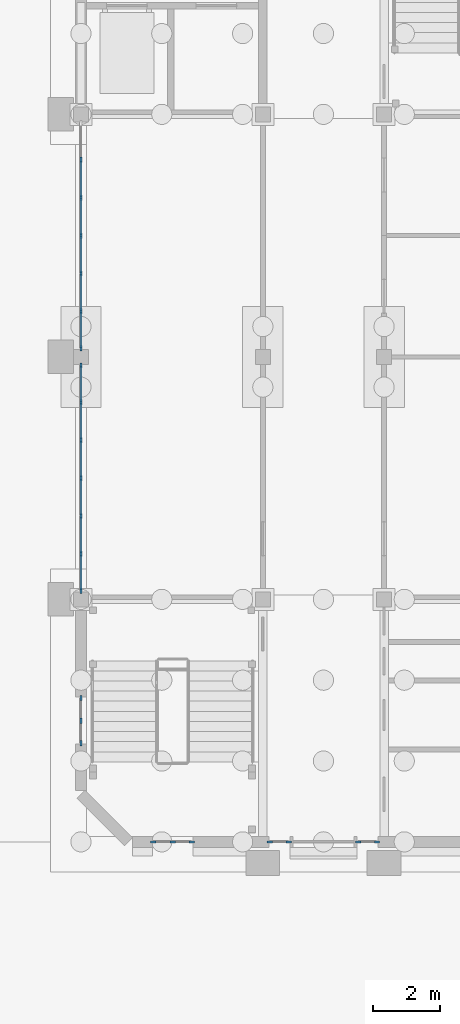
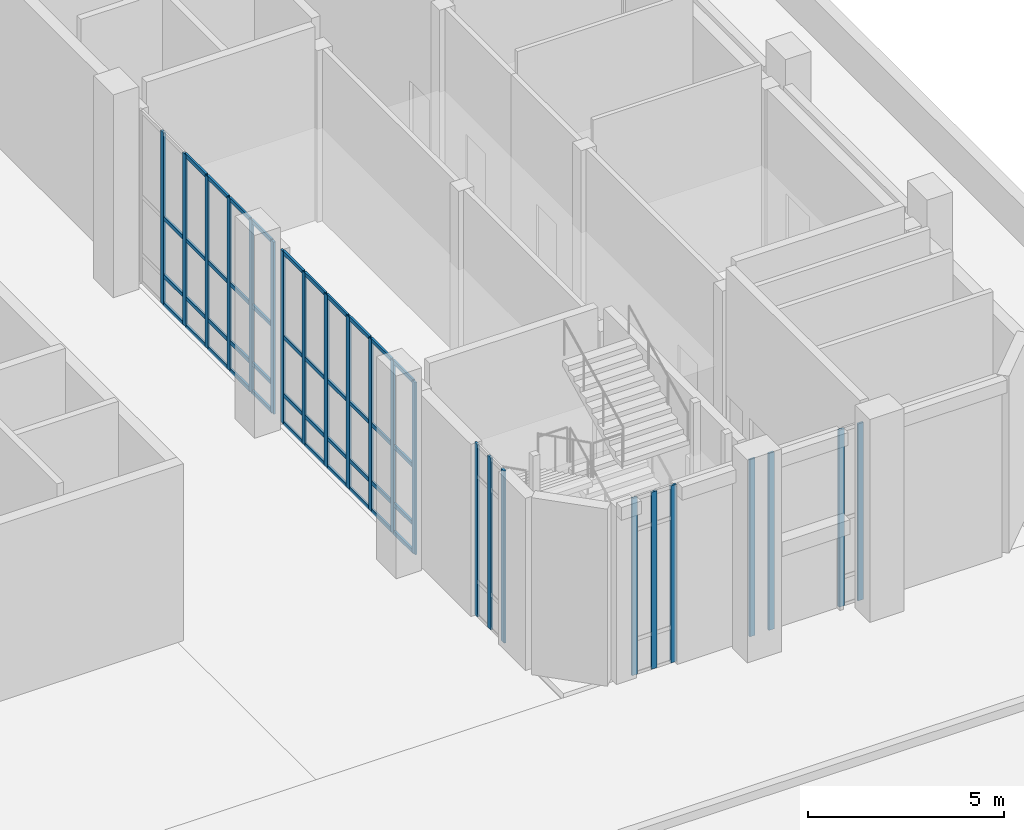
# One storey, part 14 of 84: 66 members, 6 elements without a shape of their own.
"""IFC4 building model written with IfcOpenShell, lengths in metres."""

from ifc_helpers import new_model, si_unit, direction, frame, origin, origin_2d, place, context, subcontext, project, spatial, rectangle, extrude, material, layer, layer_set, material_profile, profile_set, type_object, element, aggregate, save


model = new_model("IFC4")

# Units and contexts
model_context = context("Model", 3, precision=1e-05, world=origin(), true_north=direction((0.0, 1.0)))
body_context = subcontext(model_context, "Body", "Model", "MODEL_VIEW")
ifc_project = project(units=[si_unit("LENGTHUNIT", "METRE"), si_unit("AREAUNIT", "SQUARE_METRE"), si_unit("VOLUMEUNIT", "CUBIC_METRE"), si_unit("PLANEANGLEUNIT", "RADIAN"), si_unit("MASSUNIT", "GRAM", prefix="KILO")], contexts=[model_context])

# Site, building, storey
site_placement = place(None, origin())
site = spatial("IfcSite", under=ifc_project, at=site_placement, CompositionType="ELEMENT")
building_placement = place(site_placement, origin())
building = spatial("IfcBuilding", under=site, at=building_placement, Name="Mazhai Court Health Centre", CompositionType="ELEMENT")
storey_placement = place(building_placement, origin())
storey = spatial("IfcBuildingStorey", under=building, at=storey_placement, Name="L00", CompositionType="ELEMENT", Elevation=0.0)

# Curtain wall, members
ifc_material_1 = material(Name="Teak timber frame, glazed", Category="wood")
ifc_layer_1 = layer(ifc_material_1, 0.10009765625)
ifc_layer_set_1 = layer_set([ifc_layer_1], Name="CURTAIN WALL TIMBER 600")
curtain_wall_type_1 = type_object("IfcCurtainWallType", Name="CURTAIN WALL TIMBER 600", PredefinedType="NOTDEFINED", material=ifc_layer_set_1)
curtain_wall_1_placement = place(storey_placement, origin())
curtain_wall_1 = element("IfcCurtainWall", 1, at=curtain_wall_1_placement, inside=storey, type_object=curtain_wall_type_1, Name="CW-V6-L00-A0", PredefinedType="NOTDEFINED")
ifc_material_2 = material(Name="Teak timber", Category="wood")
ifc_material_profile_1 = material_profile(ifc_material_2, rectangle(XDim=0.06005859375, YDim=0.159912109375, at=origin_2d()), Name="CW MULLION 60x160")
ifc_profile_set_1 = profile_set([ifc_material_profile_1], Name="Teak timber")
member_type_1 = type_object("IfcMemberType", Name="CW MULLION 60x160", PredefinedType="MULLION", material=ifc_profile_set_1)
member_1_placement = place(storey_placement, frame((135.800048828125, 9.1298828125, 0.0), z_axis=(0.0, 0.0, 1.0), x_axis=(-1.0, 0.0, 0.0)))
member_1 = element("IfcMember", 2, at=member_1_placement, type_object=member_type_1, Name="CW mullion 1", PredefinedType="MULLION", context=body_context, shape_type="SweptSolid", body=[
    extrude(rectangle(XDim=0.06005859375, YDim=0.159912109375, at=origin_2d()), origin(), (0.0, 0.0, 1.0), 5.35009765625),
])
member_2_placement = place(storey_placement, frame((135.800048828125, 9.800048828125, 0.0), z_axis=(0.0, 0.0, 1.0), x_axis=(-1.0, 0.0, 0.0)))
member_2 = element("IfcMember", 3, at=member_2_placement, type_object=member_type_1, Name="CW mullion 2", PredefinedType="MULLION", context=body_context, shape_type="SweptSolid", body=[
    extrude(rectangle(XDim=0.06005859375, YDim=0.159912109375, at=origin_2d()), origin(), (0.0, 0.0, 1.0), 5.35009765625),
])
member_3_placement = place(storey_placement, frame((135.800048828125, 10.469970703125, 0.0), z_axis=(0.0, 0.0, 1.0), x_axis=(-1.0, 0.0, 0.0)))
member_3 = element("IfcMember", 4, at=member_3_placement, type_object=member_type_1, Name="CW mullion 3", PredefinedType="MULLION", context=body_context, shape_type="SweptSolid", body=[
    extrude(rectangle(XDim=0.06005859375, YDim=0.159912109375, at=origin_2d()), origin(), (0.0, 0.0, 1.0), 5.35009765625),
])
aggregate(curtain_wall_1, [member_1, member_2, member_3])

ifc_material_3 = material(Name="Teak timber frame, glazed", Category="wood")
ifc_layer_2 = layer(ifc_material_3, 0.10009765625)
ifc_layer_set_2 = layer_set([ifc_layer_2], Name="CURTAIN WALL TIMBER 1200")
curtain_wall_type_2 = type_object("IfcCurtainWallType", Name="CURTAIN WALL TIMBER 1200", PredefinedType="NOTDEFINED", material=ifc_layer_set_2)
curtain_wall_2_placement = place(storey_placement, origin())
curtain_wall_2 = element("IfcCurtainWall", 5, at=curtain_wall_2_placement, inside=storey, type_object=curtain_wall_type_2, Name="CW-V6-L00-A1", PredefinedType="NOTDEFINED")
member_4_placement = place(storey_placement, frame((135.800048828125, 13.655029296875, 0.0), z_axis=(0.0, 0.0, 1.0), x_axis=(-1.0, 0.0, 0.0)))
member_4 = element("IfcMember", 6, at=member_4_placement, type_object=member_type_1, Name="CW mullion 1", PredefinedType="MULLION", context=body_context, shape_type="SweptSolid", body=[
    extrude(rectangle(XDim=0.06005859375, YDim=0.159912109375, at=origin_2d()), origin(), (0.0, 0.0, 1.0), 5.35009765625),
])
member_5_placement = place(storey_placement, frame((135.800048828125, 14.75, 0.0), z_axis=(0.0, 0.0, 1.0), x_axis=(-1.0, 0.0, 0.0)))
member_5 = element("IfcMember", 7, at=member_5_placement, type_object=member_type_1, Name="CW mullion 2", PredefinedType="MULLION", context=body_context, shape_type="SweptSolid", body=[
    extrude(rectangle(XDim=0.06005859375, YDim=0.159912109375, at=origin_2d()), origin(), (0.0, 0.0, 1.0), 5.35009765625),
])
member_6_placement = place(storey_placement, frame((135.800048828125, 15.875, 0.0), z_axis=(0.0, 0.0, 1.0), x_axis=(-1.0, 0.0, 0.0)))
member_6 = element("IfcMember", 8, at=member_6_placement, type_object=member_type_1, Name="CW mullion 3", PredefinedType="MULLION", context=body_context, shape_type="SweptSolid", body=[
    extrude(rectangle(XDim=0.06005859375, YDim=0.159912109375, at=origin_2d()), origin(), (0.0, 0.0, 1.0), 5.35009765625),
])
member_7_placement = place(storey_placement, frame((135.800048828125, 17.0, 0.0), z_axis=(0.0, 0.0, 1.0), x_axis=(-1.0, 0.0, 0.0)))
member_7 = element("IfcMember", 9, at=member_7_placement, type_object=member_type_1, Name="CW mullion 4", PredefinedType="MULLION", context=body_context, shape_type="SweptSolid", body=[
    extrude(rectangle(XDim=0.06005859375, YDim=0.159912109375, at=origin_2d()), origin(), (0.0, 0.0, 1.0), 5.35009765625),
])
member_8_placement = place(storey_placement, frame((135.800048828125, 18.125, 0.0), z_axis=(0.0, 0.0, 1.0), x_axis=(-1.0, 0.0, 0.0)))
member_8 = element("IfcMember", 10, at=member_8_placement, type_object=member_type_1, Name="CW mullion 5", PredefinedType="MULLION", context=body_context, shape_type="SweptSolid", body=[
    extrude(rectangle(XDim=0.06005859375, YDim=0.159912109375, at=origin_2d()), origin(), (0.0, 0.0, 1.0), 5.35009765625),
])
member_9_placement = place(storey_placement, frame((135.800048828125, 19.25, 0.0), z_axis=(0.0, 0.0, 1.0), x_axis=(-1.0, 0.0, 0.0)))
member_9 = element("IfcMember", 11, at=member_9_placement, type_object=member_type_1, Name="CW mullion 6", PredefinedType="MULLION", context=body_context, shape_type="SweptSolid", body=[
    extrude(rectangle(XDim=0.06005859375, YDim=0.159912109375, at=origin_2d()), origin(), (0.0, 0.0, 1.0), 5.35009765625),
])
member_10_placement = place(storey_placement, frame((135.800048828125, 20.344970703125, 0.0), z_axis=(0.0, 0.0, 1.0), x_axis=(-1.0, 0.0, 0.0)))
member_10 = element("IfcMember", 12, at=member_10_placement, type_object=member_type_1, Name="CW mullion 7", PredefinedType="MULLION", context=body_context, shape_type="SweptSolid", body=[
    extrude(rectangle(XDim=0.06005859375, YDim=0.159912109375, at=origin_2d()), origin(), (0.0, 0.0, 1.0), 5.35009765625),
])

curtain_wall_3_placement = place(storey_placement, origin())
curtain_wall_3 = element("IfcCurtainWall", 13, at=curtain_wall_3_placement, inside=storey, type_object=curtain_wall_type_2, Name="CW-V6-L00-A2", PredefinedType="NOTDEFINED")
member_11_placement = place(storey_placement, frame((135.800048828125, 20.85498046875, 0.0), z_axis=(0.0, 0.0, 1.0), x_axis=(-1.0, 0.0, 0.0)))
member_11 = element("IfcMember", 14, at=member_11_placement, type_object=member_type_1, Name="CW mullion 1", PredefinedType="MULLION", context=body_context, shape_type="SweptSolid", body=[
    extrude(rectangle(XDim=0.06005859375, YDim=0.159912109375, at=origin_2d()), origin(), (0.0, 0.0, 1.0), 5.35009765625),
])
member_12_placement = place(storey_placement, frame((135.800048828125, 21.949951171875, 0.0), z_axis=(0.0, 0.0, 1.0), x_axis=(-1.0, 0.0, 0.0)))
member_12 = element("IfcMember", 15, at=member_12_placement, type_object=member_type_1, Name="CW mullion 2", PredefinedType="MULLION", context=body_context, shape_type="SweptSolid", body=[
    extrude(rectangle(XDim=0.06005859375, YDim=0.159912109375, at=origin_2d()), origin(), (0.0, 0.0, 1.0), 5.35009765625),
])
member_13_placement = place(storey_placement, frame((135.800048828125, 23.074951171875, 0.0), z_axis=(0.0, 0.0, 1.0), x_axis=(-1.0, 0.0, 0.0)))
member_13 = element("IfcMember", 16, at=member_13_placement, type_object=member_type_1, Name="CW mullion 3", PredefinedType="MULLION", context=body_context, shape_type="SweptSolid", body=[
    extrude(rectangle(XDim=0.06005859375, YDim=0.159912109375, at=origin_2d()), origin(), (0.0, 0.0, 1.0), 5.35009765625),
])
member_14_placement = place(storey_placement, frame((135.800048828125, 24.199951171875, 0.0), z_axis=(0.0, 0.0, 1.0), x_axis=(-1.0, 0.0, 0.0)))
member_14 = element("IfcMember", 17, at=member_14_placement, type_object=member_type_1, Name="CW mullion 4", PredefinedType="MULLION", context=body_context, shape_type="SweptSolid", body=[
    extrude(rectangle(XDim=0.06005859375, YDim=0.159912109375, at=origin_2d()), origin(), (0.0, 0.0, 1.0), 5.35009765625),
])
member_15_placement = place(storey_placement, frame((135.800048828125, 25.324951171875, 0.0), z_axis=(0.0, 0.0, 1.0), x_axis=(-1.0, 0.0, 0.0)))
member_15 = element("IfcMember", 18, at=member_15_placement, type_object=member_type_1, Name="CW mullion 5", PredefinedType="MULLION", context=body_context, shape_type="SweptSolid", body=[
    extrude(rectangle(XDim=0.06005859375, YDim=0.159912109375, at=origin_2d()), origin(), (0.0, 0.0, 1.0), 5.35009765625),
])
member_16_placement = place(storey_placement, frame((135.800048828125, 26.449951171875, 0.0), z_axis=(0.0, 0.0, 1.0), x_axis=(-1.0, 0.0, 0.0)))
member_16 = element("IfcMember", 19, at=member_16_placement, type_object=member_type_1, Name="CW mullion 6", PredefinedType="MULLION", context=body_context, shape_type="SweptSolid", body=[
    extrude(rectangle(XDim=0.06005859375, YDim=0.159912109375, at=origin_2d()), origin(), (0.0, 0.0, 1.0), 5.35009765625),
])

curtain_wall_4_placement = place(storey_placement, origin())
curtain_wall_4 = element("IfcCurtainWall", 20, at=curtain_wall_4_placement, inside=storey, type_object=curtain_wall_type_1, Name="CW-V6-L00-SSTAIR0", PredefinedType="NOTDEFINED")
member_17_placement = place(storey_placement, frame((139.090087890625, 6.199951171875, 0.0), z_axis=(0.0, 0.0, 1.0), x_axis=(0.0, -1.0, 0.0)))
member_17 = element("IfcMember", 21, at=member_17_placement, type_object=member_type_1, Name="CW mullion 1", PredefinedType="MULLION", context=body_context, shape_type="SweptSolid", body=[
    extrude(rectangle(XDim=0.06005859375, YDim=0.159912109375, at=origin_2d()), origin(), (0.0, 0.0, 1.0), 5.5),
])
member_18_placement = place(storey_placement, frame((138.52001953125, 6.199951171875, 0.0), z_axis=(0.0, 0.0, 1.0), x_axis=(0.0, -1.0, 0.0)))
member_18 = element("IfcMember", 22, at=member_18_placement, type_object=member_type_1, Name="CW mullion 2", PredefinedType="MULLION", context=body_context, shape_type="SweptSolid", body=[
    extrude(rectangle(XDim=0.06005859375, YDim=0.159912109375, at=origin_2d()), origin(), (0.0, 0.0, 1.0), 5.5),
])
member_19_placement = place(storey_placement, frame((137.949951171875, 6.199951171875, 0.0), z_axis=(0.0, 0.0, 1.0), x_axis=(0.0, -1.0, 0.0)))
member_19 = element("IfcMember", 23, at=member_19_placement, type_object=member_type_1, Name="CW mullion 3", PredefinedType="MULLION", context=body_context, shape_type="SweptSolid", body=[
    extrude(rectangle(XDim=0.06005859375, YDim=0.159912109375, at=origin_2d()), origin(), (0.0, 0.0, 1.0), 5.5),
])
aggregate(curtain_wall_4, [member_17, member_18, member_19])

ifc_material_4 = material(Name="Teak timber frame, glazed", Category="wood")
ifc_layer_3 = layer(ifc_material_4, 0.10009765625)
ifc_layer_set_3 = layer_set([ifc_layer_3], Name="CURTAIN WALL TIMBER 620")
curtain_wall_type_3 = type_object("IfcCurtainWallType", Name="CURTAIN WALL TIMBER 620", PredefinedType="NOTDEFINED", material=ifc_layer_set_3)
curtain_wall_5_placement = place(storey_placement, origin())
curtain_wall_5 = element("IfcCurtainWall", 24, at=curtain_wall_5_placement, inside=storey, type_object=curtain_wall_type_3, Name="CW-V6-L00-SSL1", PredefinedType="NOTDEFINED")
member_20_placement = place(storey_placement, frame((141.969970703125, 6.199951171875, 0.0), z_axis=(0.0, 0.0, 1.0), x_axis=(0.0, -1.0, 0.0)))
member_20 = element("IfcMember", 25, at=member_20_placement, type_object=member_type_1, Name="CW mullion 1", PredefinedType="MULLION", context=body_context, shape_type="SweptSolid", body=[
    extrude(rectangle(XDim=0.06005859375, YDim=0.159912109375, at=origin_2d()), origin(), (0.0, 0.0, 1.0), 5.5),
])
member_21_placement = place(storey_placement, frame((141.409912109375, 6.199951171875, 0.0), z_axis=(0.0, 0.0, 1.0), x_axis=(0.0, -1.0, 0.0)))
member_21 = element("IfcMember", 26, at=member_21_placement, type_object=member_type_1, Name="CW mullion 2", PredefinedType="MULLION", context=body_context, shape_type="SweptSolid", body=[
    extrude(rectangle(XDim=0.06005859375, YDim=0.159912109375, at=origin_2d()), origin(), (0.0, 0.0, 1.0), 5.5),
])
aggregate(curtain_wall_5, [member_20, member_21])

curtain_wall_6_placement = place(storey_placement, origin())
curtain_wall_6 = element("IfcCurtainWall", 27, at=curtain_wall_6_placement, inside=storey, type_object=curtain_wall_type_3, Name="CW-V6-L00-SSL2", PredefinedType="NOTDEFINED")
member_22_placement = place(storey_placement, frame((144.590087890625, 6.199951171875, 0.0), z_axis=(0.0, 0.0, 1.0), x_axis=(0.0, -1.0, 0.0)))
member_22 = element("IfcMember", 28, at=member_22_placement, type_object=member_type_1, Name="CW mullion 1", PredefinedType="MULLION", context=body_context, shape_type="SweptSolid", body=[
    extrude(rectangle(XDim=0.06005859375, YDim=0.159912109375, at=origin_2d()), origin(), (0.0, 0.0, 1.0), 5.5),
])
member_23_placement = place(storey_placement, frame((144.030029296875, 6.199951171875, 0.0), z_axis=(0.0, 0.0, 1.0), x_axis=(0.0, -1.0, 0.0)))
member_23 = element("IfcMember", 29, at=member_23_placement, type_object=member_type_1, Name="CW mullion 2", PredefinedType="MULLION", context=body_context, shape_type="SweptSolid", body=[
    extrude(rectangle(XDim=0.06005859375, YDim=0.159912109375, at=origin_2d()), origin(), (0.0, 0.0, 1.0), 5.5),
])
aggregate(curtain_wall_6, [member_22, member_23])

# Member
ifc_material_5 = material(Name="Teak timber", Category="wood")
ifc_material_profile_2 = material_profile(ifc_material_5, rectangle(XDim=0.06005859375, YDim=0.1201171875, at=origin_2d()), Name="CW TRANSOM 60x120")
ifc_profile_set_2 = profile_set([ifc_material_profile_2], Name="Teak timber")
member_type_2 = type_object("IfcMemberType", Name="CW TRANSOM 60x120", PredefinedType="USERDEFINED", material=ifc_profile_set_2)
member_24_placement = place(storey_placement, frame((135.800048828125, 13.68505859375, 0.030029296875), z_axis=(0.0, 1.0, 0.0), x_axis=(-1.0, 0.0, 0.0)))
member_24 = element("IfcMember", 30, at=member_24_placement, type_object=member_type_2, Name="CW transom 1.1", ObjectType="TRANSOM", PredefinedType="USERDEFINED", context=body_context, shape_type="SweptSolid", body=[
    extrude(rectangle(XDim=0.06005859375, YDim=0.1201171875, at=origin_2d()), origin(), (0.0, 0.0, 1.0), 1.034912109375),
])

member_25_placement = place(storey_placement, frame((135.800048828125, 13.68505859375, 0.89990234375), z_axis=(0.0, 1.0, 0.0), x_axis=(-1.0, 0.0, 0.0)))
member_25 = element("IfcMember", 31, at=member_25_placement, type_object=member_type_2, Name="CW transom 1.2", ObjectType="TRANSOM", PredefinedType="USERDEFINED", context=body_context, shape_type="SweptSolid", body=[
    extrude(rectangle(XDim=0.06005859375, YDim=0.1201171875, at=origin_2d()), origin(), (0.0, 0.0, 1.0), 1.034912109375),
])

member_26_placement = place(storey_placement, frame((135.800048828125, 13.68505859375, 2.699951171875), z_axis=(0.0, 1.0, 0.0), x_axis=(-1.0, 0.0, 0.0)))
member_26 = element("IfcMember", 32, at=member_26_placement, type_object=member_type_2, Name="CW transom 1.3", ObjectType="TRANSOM", PredefinedType="USERDEFINED", context=body_context, shape_type="SweptSolid", body=[
    extrude(rectangle(XDim=0.06005859375, YDim=0.1201171875, at=origin_2d()), origin(), (0.0, 0.0, 1.0), 1.034912109375),
])

member_27_placement = place(storey_placement, frame((135.800048828125, 13.68505859375, 5.320068359375), z_axis=(0.0, 1.0, 0.0), x_axis=(-1.0, 0.0, 0.0)))
member_27 = element("IfcMember", 33, at=member_27_placement, type_object=member_type_2, Name="CW transom 1.4", ObjectType="TRANSOM", PredefinedType="USERDEFINED", context=body_context, shape_type="SweptSolid", body=[
    extrude(rectangle(XDim=0.06005859375, YDim=0.1201171875, at=origin_2d()), origin(), (0.0, 0.0, 1.0), 1.034912109375),
])

member_28_placement = place(storey_placement, frame((135.800048828125, 14.780029296875, 0.030029296875), z_axis=(0.0, 1.0, 0.0), x_axis=(-1.0, 0.0, 0.0)))
member_28 = element("IfcMember", 34, at=member_28_placement, type_object=member_type_2, Name="CW transom 2.1", ObjectType="TRANSOM", PredefinedType="USERDEFINED", context=body_context, shape_type="SweptSolid", body=[
    extrude(rectangle(XDim=0.06005859375, YDim=0.1201171875, at=origin_2d()), origin(), (0.0, 0.0, 1.0), 1.06494140625),
])

member_29_placement = place(storey_placement, frame((135.800048828125, 14.780029296875, 0.89990234375), z_axis=(0.0, 1.0, 0.0), x_axis=(-1.0, 0.0, 0.0)))
member_29 = element("IfcMember", 35, at=member_29_placement, type_object=member_type_2, Name="CW transom 2.2", ObjectType="TRANSOM", PredefinedType="USERDEFINED", context=body_context, shape_type="SweptSolid", body=[
    extrude(rectangle(XDim=0.06005859375, YDim=0.1201171875, at=origin_2d()), origin(), (0.0, 0.0, 1.0), 1.06494140625),
])

member_30_placement = place(storey_placement, frame((135.800048828125, 14.780029296875, 2.699951171875), z_axis=(0.0, 1.0, 0.0), x_axis=(-1.0, 0.0, 0.0)))
member_30 = element("IfcMember", 36, at=member_30_placement, type_object=member_type_2, Name="CW transom 2.3", ObjectType="TRANSOM", PredefinedType="USERDEFINED", context=body_context, shape_type="SweptSolid", body=[
    extrude(rectangle(XDim=0.06005859375, YDim=0.1201171875, at=origin_2d()), origin(), (0.0, 0.0, 1.0), 1.06494140625),
])

member_31_placement = place(storey_placement, frame((135.800048828125, 14.780029296875, 5.320068359375), z_axis=(0.0, 1.0, 0.0), x_axis=(-1.0, 0.0, 0.0)))
member_31 = element("IfcMember", 37, at=member_31_placement, type_object=member_type_2, Name="CW transom 2.4", ObjectType="TRANSOM", PredefinedType="USERDEFINED", context=body_context, shape_type="SweptSolid", body=[
    extrude(rectangle(XDim=0.06005859375, YDim=0.1201171875, at=origin_2d()), origin(), (0.0, 0.0, 1.0), 1.06494140625),
])

member_32_placement = place(storey_placement, frame((135.800048828125, 15.905029296875, 0.030029296875), z_axis=(0.0, 1.0, 0.0), x_axis=(-1.0, 0.0, 0.0)))
member_32 = element("IfcMember", 38, at=member_32_placement, type_object=member_type_2, Name="CW transom 3.1", ObjectType="TRANSOM", PredefinedType="USERDEFINED", context=body_context, shape_type="SweptSolid", body=[
    extrude(rectangle(XDim=0.06005859375, YDim=0.1201171875, at=origin_2d()), origin(), (0.0, 0.0, 1.0), 1.06494140625),
])

member_33_placement = place(storey_placement, frame((135.800048828125, 15.905029296875, 0.89990234375), z_axis=(0.0, 1.0, 0.0), x_axis=(-1.0, 0.0, 0.0)))
member_33 = element("IfcMember", 39, at=member_33_placement, type_object=member_type_2, Name="CW transom 3.2", ObjectType="TRANSOM", PredefinedType="USERDEFINED", context=body_context, shape_type="SweptSolid", body=[
    extrude(rectangle(XDim=0.06005859375, YDim=0.1201171875, at=origin_2d()), origin(), (0.0, 0.0, 1.0), 1.06494140625),
])

member_34_placement = place(storey_placement, frame((135.800048828125, 15.905029296875, 2.699951171875), z_axis=(0.0, 1.0, 0.0), x_axis=(-1.0, 0.0, 0.0)))
member_34 = element("IfcMember", 40, at=member_34_placement, type_object=member_type_2, Name="CW transom 3.3", ObjectType="TRANSOM", PredefinedType="USERDEFINED", context=body_context, shape_type="SweptSolid", body=[
    extrude(rectangle(XDim=0.06005859375, YDim=0.1201171875, at=origin_2d()), origin(), (0.0, 0.0, 1.0), 1.06494140625),
])

member_35_placement = place(storey_placement, frame((135.800048828125, 15.905029296875, 5.320068359375), z_axis=(0.0, 1.0, 0.0), x_axis=(-1.0, 0.0, 0.0)))
member_35 = element("IfcMember", 41, at=member_35_placement, type_object=member_type_2, Name="CW transom 3.4", ObjectType="TRANSOM", PredefinedType="USERDEFINED", context=body_context, shape_type="SweptSolid", body=[
    extrude(rectangle(XDim=0.06005859375, YDim=0.1201171875, at=origin_2d()), origin(), (0.0, 0.0, 1.0), 1.06494140625),
])

member_36_placement = place(storey_placement, frame((135.800048828125, 17.030029296875, 0.030029296875), z_axis=(0.0, 1.0, 0.0), x_axis=(-1.0, 0.0, 0.0)))
member_36 = element("IfcMember", 42, at=member_36_placement, type_object=member_type_2, Name="CW transom 4.1", ObjectType="TRANSOM", PredefinedType="USERDEFINED", context=body_context, shape_type="SweptSolid", body=[
    extrude(rectangle(XDim=0.06005859375, YDim=0.1201171875, at=origin_2d()), origin(), (0.0, 0.0, 1.0), 1.06494140625),
])

member_37_placement = place(storey_placement, frame((135.800048828125, 17.030029296875, 0.89990234375), z_axis=(0.0, 1.0, 0.0), x_axis=(-1.0, 0.0, 0.0)))
member_37 = element("IfcMember", 43, at=member_37_placement, type_object=member_type_2, Name="CW transom 4.2", ObjectType="TRANSOM", PredefinedType="USERDEFINED", context=body_context, shape_type="SweptSolid", body=[
    extrude(rectangle(XDim=0.06005859375, YDim=0.1201171875, at=origin_2d()), origin(), (0.0, 0.0, 1.0), 1.06494140625),
])

member_38_placement = place(storey_placement, frame((135.800048828125, 17.030029296875, 2.699951171875), z_axis=(0.0, 1.0, 0.0), x_axis=(-1.0, 0.0, 0.0)))
member_38 = element("IfcMember", 44, at=member_38_placement, type_object=member_type_2, Name="CW transom 4.3", ObjectType="TRANSOM", PredefinedType="USERDEFINED", context=body_context, shape_type="SweptSolid", body=[
    extrude(rectangle(XDim=0.06005859375, YDim=0.1201171875, at=origin_2d()), origin(), (0.0, 0.0, 1.0), 1.06494140625),
])

member_39_placement = place(storey_placement, frame((135.800048828125, 17.030029296875, 5.320068359375), z_axis=(0.0, 1.0, 0.0), x_axis=(-1.0, 0.0, 0.0)))
member_39 = element("IfcMember", 45, at=member_39_placement, type_object=member_type_2, Name="CW transom 4.4", ObjectType="TRANSOM", PredefinedType="USERDEFINED", context=body_context, shape_type="SweptSolid", body=[
    extrude(rectangle(XDim=0.06005859375, YDim=0.1201171875, at=origin_2d()), origin(), (0.0, 0.0, 1.0), 1.06494140625),
])

member_40_placement = place(storey_placement, frame((135.800048828125, 18.155029296875, 0.030029296875), z_axis=(0.0, 1.0, 0.0), x_axis=(-1.0, 0.0, 0.0)))
member_40 = element("IfcMember", 46, at=member_40_placement, type_object=member_type_2, Name="CW transom 5.1", ObjectType="TRANSOM", PredefinedType="USERDEFINED", context=body_context, shape_type="SweptSolid", body=[
    extrude(rectangle(XDim=0.06005859375, YDim=0.1201171875, at=origin_2d()), origin(), (0.0, 0.0, 1.0), 1.06494140625),
])

member_41_placement = place(storey_placement, frame((135.800048828125, 18.155029296875, 0.89990234375), z_axis=(0.0, 1.0, 0.0), x_axis=(-1.0, 0.0, 0.0)))
member_41 = element("IfcMember", 47, at=member_41_placement, type_object=member_type_2, Name="CW transom 5.2", ObjectType="TRANSOM", PredefinedType="USERDEFINED", context=body_context, shape_type="SweptSolid", body=[
    extrude(rectangle(XDim=0.06005859375, YDim=0.1201171875, at=origin_2d()), origin(), (0.0, 0.0, 1.0), 1.06494140625),
])

member_42_placement = place(storey_placement, frame((135.800048828125, 18.155029296875, 2.699951171875), z_axis=(0.0, 1.0, 0.0), x_axis=(-1.0, 0.0, 0.0)))
member_42 = element("IfcMember", 48, at=member_42_placement, type_object=member_type_2, Name="CW transom 5.3", ObjectType="TRANSOM", PredefinedType="USERDEFINED", context=body_context, shape_type="SweptSolid", body=[
    extrude(rectangle(XDim=0.06005859375, YDim=0.1201171875, at=origin_2d()), origin(), (0.0, 0.0, 1.0), 1.06494140625),
])

member_43_placement = place(storey_placement, frame((135.800048828125, 18.155029296875, 5.320068359375), z_axis=(0.0, 1.0, 0.0), x_axis=(-1.0, 0.0, 0.0)))
member_43 = element("IfcMember", 49, at=member_43_placement, type_object=member_type_2, Name="CW transom 5.4", ObjectType="TRANSOM", PredefinedType="USERDEFINED", context=body_context, shape_type="SweptSolid", body=[
    extrude(rectangle(XDim=0.06005859375, YDim=0.1201171875, at=origin_2d()), origin(), (0.0, 0.0, 1.0), 1.06494140625),
])

member_44_placement = place(storey_placement, frame((135.800048828125, 19.280029296875, 0.030029296875), z_axis=(0.0, 1.0, 0.0), x_axis=(-1.0, 0.0, 0.0)))
member_44 = element("IfcMember", 50, at=member_44_placement, type_object=member_type_2, Name="CW transom 6.1", ObjectType="TRANSOM", PredefinedType="USERDEFINED", context=body_context, shape_type="SweptSolid", body=[
    extrude(rectangle(XDim=0.06005859375, YDim=0.1201171875, at=origin_2d()), origin(), (0.0, 0.0, 1.0), 1.034912109375),
])

member_45_placement = place(storey_placement, frame((135.800048828125, 19.280029296875, 0.89990234375), z_axis=(0.0, 1.0, 0.0), x_axis=(-1.0, 0.0, 0.0)))
member_45 = element("IfcMember", 51, at=member_45_placement, type_object=member_type_2, Name="CW transom 6.2", ObjectType="TRANSOM", PredefinedType="USERDEFINED", context=body_context, shape_type="SweptSolid", body=[
    extrude(rectangle(XDim=0.06005859375, YDim=0.1201171875, at=origin_2d()), origin(), (0.0, 0.0, 1.0), 1.034912109375),
])

member_46_placement = place(storey_placement, frame((135.800048828125, 19.280029296875, 2.699951171875), z_axis=(0.0, 1.0, 0.0), x_axis=(-1.0, 0.0, 0.0)))
member_46 = element("IfcMember", 52, at=member_46_placement, type_object=member_type_2, Name="CW transom 6.3", ObjectType="TRANSOM", PredefinedType="USERDEFINED", context=body_context, shape_type="SweptSolid", body=[
    extrude(rectangle(XDim=0.06005859375, YDim=0.1201171875, at=origin_2d()), origin(), (0.0, 0.0, 1.0), 1.034912109375),
])

member_47_placement = place(storey_placement, frame((135.800048828125, 19.280029296875, 5.320068359375), z_axis=(0.0, 1.0, 0.0), x_axis=(-1.0, 0.0, 0.0)))
member_47 = element("IfcMember", 53, at=member_47_placement, type_object=member_type_2, Name="CW transom 6.4", ObjectType="TRANSOM", PredefinedType="USERDEFINED", context=body_context, shape_type="SweptSolid", body=[
    extrude(rectangle(XDim=0.06005859375, YDim=0.1201171875, at=origin_2d()), origin(), (0.0, 0.0, 1.0), 1.034912109375),
])

aggregate(curtain_wall_2, [member_4, member_5, member_6, member_7, member_8, member_9, member_10, member_24, member_25, member_26, member_27, member_28, member_29, member_30, member_31, member_32, member_33, member_34, member_35, member_36, member_37, member_38, member_39, member_40, member_41, member_42, member_43, member_44, member_45, member_46, member_47])

member_48_placement = place(storey_placement, frame((135.800048828125, 20.885009765625, 0.030029296875), z_axis=(0.0, 1.0, 0.0), x_axis=(-1.0, 0.0, 0.0)))
member_48 = element("IfcMember", 54, at=member_48_placement, type_object=member_type_2, Name="CW transom 1.1", ObjectType="TRANSOM", PredefinedType="USERDEFINED", context=body_context, shape_type="SweptSolid", body=[
    extrude(rectangle(XDim=0.06005859375, YDim=0.1201171875, at=origin_2d()), origin(), (0.0, 0.0, 1.0), 1.034912109375),
])

member_49_placement = place(storey_placement, frame((135.800048828125, 20.885009765625, 0.89990234375), z_axis=(0.0, 1.0, 0.0), x_axis=(-1.0, 0.0, 0.0)))
member_49 = element("IfcMember", 55, at=member_49_placement, type_object=member_type_2, Name="CW transom 1.2", ObjectType="TRANSOM", PredefinedType="USERDEFINED", context=body_context, shape_type="SweptSolid", body=[
    extrude(rectangle(XDim=0.06005859375, YDim=0.1201171875, at=origin_2d()), origin(), (0.0, 0.0, 1.0), 1.034912109375),
])

member_50_placement = place(storey_placement, frame((135.800048828125, 20.885009765625, 2.699951171875), z_axis=(0.0, 1.0, 0.0), x_axis=(-1.0, 0.0, 0.0)))
member_50 = element("IfcMember", 56, at=member_50_placement, type_object=member_type_2, Name="CW transom 1.3", ObjectType="TRANSOM", PredefinedType="USERDEFINED", context=body_context, shape_type="SweptSolid", body=[
    extrude(rectangle(XDim=0.06005859375, YDim=0.1201171875, at=origin_2d()), origin(), (0.0, 0.0, 1.0), 1.034912109375),
])

member_51_placement = place(storey_placement, frame((135.800048828125, 20.885009765625, 5.320068359375), z_axis=(0.0, 1.0, 0.0), x_axis=(-1.0, 0.0, 0.0)))
member_51 = element("IfcMember", 57, at=member_51_placement, type_object=member_type_2, Name="CW transom 1.4", ObjectType="TRANSOM", PredefinedType="USERDEFINED", context=body_context, shape_type="SweptSolid", body=[
    extrude(rectangle(XDim=0.06005859375, YDim=0.1201171875, at=origin_2d()), origin(), (0.0, 0.0, 1.0), 1.034912109375),
])

member_52_placement = place(storey_placement, frame((135.800048828125, 21.97998046875, 0.030029296875), z_axis=(0.0, 1.0, 0.0), x_axis=(-1.0, 0.0, 0.0)))
member_52 = element("IfcMember", 58, at=member_52_placement, type_object=member_type_2, Name="CW transom 2.1", ObjectType="TRANSOM", PredefinedType="USERDEFINED", context=body_context, shape_type="SweptSolid", body=[
    extrude(rectangle(XDim=0.06005859375, YDim=0.1201171875, at=origin_2d()), origin(), (0.0, 0.0, 1.0), 1.06494140625),
])

member_53_placement = place(storey_placement, frame((135.800048828125, 21.97998046875, 0.89990234375), z_axis=(0.0, 1.0, 0.0), x_axis=(-1.0, 0.0, 0.0)))
member_53 = element("IfcMember", 59, at=member_53_placement, type_object=member_type_2, Name="CW transom 2.2", ObjectType="TRANSOM", PredefinedType="USERDEFINED", context=body_context, shape_type="SweptSolid", body=[
    extrude(rectangle(XDim=0.06005859375, YDim=0.1201171875, at=origin_2d()), origin(), (0.0, 0.0, 1.0), 1.06494140625),
])

member_54_placement = place(storey_placement, frame((135.800048828125, 21.97998046875, 2.699951171875), z_axis=(0.0, 1.0, 0.0), x_axis=(-1.0, 0.0, 0.0)))
member_54 = element("IfcMember", 60, at=member_54_placement, type_object=member_type_2, Name="CW transom 2.3", ObjectType="TRANSOM", PredefinedType="USERDEFINED", context=body_context, shape_type="SweptSolid", body=[
    extrude(rectangle(XDim=0.06005859375, YDim=0.1201171875, at=origin_2d()), origin(), (0.0, 0.0, 1.0), 1.06494140625),
])

member_55_placement = place(storey_placement, frame((135.800048828125, 21.97998046875, 5.320068359375), z_axis=(0.0, 1.0, 0.0), x_axis=(-1.0, 0.0, 0.0)))
member_55 = element("IfcMember", 61, at=member_55_placement, type_object=member_type_2, Name="CW transom 2.4", ObjectType="TRANSOM", PredefinedType="USERDEFINED", context=body_context, shape_type="SweptSolid", body=[
    extrude(rectangle(XDim=0.06005859375, YDim=0.1201171875, at=origin_2d()), origin(), (0.0, 0.0, 1.0), 1.06494140625),
])

member_56_placement = place(storey_placement, frame((135.800048828125, 23.10498046875, 0.030029296875), z_axis=(0.0, 1.0, 0.0), x_axis=(-1.0, 0.0, 0.0)))
member_56 = element("IfcMember", 62, at=member_56_placement, type_object=member_type_2, Name="CW transom 3.1", ObjectType="TRANSOM", PredefinedType="USERDEFINED", context=body_context, shape_type="SweptSolid", body=[
    extrude(rectangle(XDim=0.06005859375, YDim=0.1201171875, at=origin_2d()), origin(), (0.0, 0.0, 1.0), 1.06494140625),
])

member_57_placement = place(storey_placement, frame((135.800048828125, 23.10498046875, 0.89990234375), z_axis=(0.0, 1.0, 0.0), x_axis=(-1.0, 0.0, 0.0)))
member_57 = element("IfcMember", 63, at=member_57_placement, type_object=member_type_2, Name="CW transom 3.2", ObjectType="TRANSOM", PredefinedType="USERDEFINED", context=body_context, shape_type="SweptSolid", body=[
    extrude(rectangle(XDim=0.06005859375, YDim=0.1201171875, at=origin_2d()), origin(), (0.0, 0.0, 1.0), 1.06494140625),
])

member_58_placement = place(storey_placement, frame((135.800048828125, 23.10498046875, 2.699951171875), z_axis=(0.0, 1.0, 0.0), x_axis=(-1.0, 0.0, 0.0)))
member_58 = element("IfcMember", 64, at=member_58_placement, type_object=member_type_2, Name="CW transom 3.3", ObjectType="TRANSOM", PredefinedType="USERDEFINED", context=body_context, shape_type="SweptSolid", body=[
    extrude(rectangle(XDim=0.06005859375, YDim=0.1201171875, at=origin_2d()), origin(), (0.0, 0.0, 1.0), 1.06494140625),
])

member_59_placement = place(storey_placement, frame((135.800048828125, 23.10498046875, 5.320068359375), z_axis=(0.0, 1.0, 0.0), x_axis=(-1.0, 0.0, 0.0)))
member_59 = element("IfcMember", 65, at=member_59_placement, type_object=member_type_2, Name="CW transom 3.4", ObjectType="TRANSOM", PredefinedType="USERDEFINED", context=body_context, shape_type="SweptSolid", body=[
    extrude(rectangle(XDim=0.06005859375, YDim=0.1201171875, at=origin_2d()), origin(), (0.0, 0.0, 1.0), 1.06494140625),
])

member_60_placement = place(storey_placement, frame((135.800048828125, 24.22998046875, 0.030029296875), z_axis=(0.0, 1.0, 0.0), x_axis=(-1.0, 0.0, 0.0)))
member_60 = element("IfcMember", 66, at=member_60_placement, type_object=member_type_2, Name="CW transom 4.1", ObjectType="TRANSOM", PredefinedType="USERDEFINED", context=body_context, shape_type="SweptSolid", body=[
    extrude(rectangle(XDim=0.06005859375, YDim=0.1201171875, at=origin_2d()), origin(), (0.0, 0.0, 1.0), 1.06494140625),
])

member_61_placement = place(storey_placement, frame((135.800048828125, 24.22998046875, 0.89990234375), z_axis=(0.0, 1.0, 0.0), x_axis=(-1.0, 0.0, 0.0)))
member_61 = element("IfcMember", 67, at=member_61_placement, type_object=member_type_2, Name="CW transom 4.2", ObjectType="TRANSOM", PredefinedType="USERDEFINED", context=body_context, shape_type="SweptSolid", body=[
    extrude(rectangle(XDim=0.06005859375, YDim=0.1201171875, at=origin_2d()), origin(), (0.0, 0.0, 1.0), 1.06494140625),
])

member_62_placement = place(storey_placement, frame((135.800048828125, 24.22998046875, 2.699951171875), z_axis=(0.0, 1.0, 0.0), x_axis=(-1.0, 0.0, 0.0)))
member_62 = element("IfcMember", 68, at=member_62_placement, type_object=member_type_2, Name="CW transom 4.3", ObjectType="TRANSOM", PredefinedType="USERDEFINED", context=body_context, shape_type="SweptSolid", body=[
    extrude(rectangle(XDim=0.06005859375, YDim=0.1201171875, at=origin_2d()), origin(), (0.0, 0.0, 1.0), 1.06494140625),
])

member_63_placement = place(storey_placement, frame((135.800048828125, 24.22998046875, 5.320068359375), z_axis=(0.0, 1.0, 0.0), x_axis=(-1.0, 0.0, 0.0)))
member_63 = element("IfcMember", 69, at=member_63_placement, type_object=member_type_2, Name="CW transom 4.4", ObjectType="TRANSOM", PredefinedType="USERDEFINED", context=body_context, shape_type="SweptSolid", body=[
    extrude(rectangle(XDim=0.06005859375, YDim=0.1201171875, at=origin_2d()), origin(), (0.0, 0.0, 1.0), 1.06494140625),
])

member_64_placement = place(storey_placement, frame((135.800048828125, 25.35498046875, 0.030029296875), z_axis=(0.0, 1.0, 0.0), x_axis=(-1.0, 0.0, 0.0)))
member_64 = element("IfcMember", 70, at=member_64_placement, type_object=member_type_2, Name="CW transom 5.1", ObjectType="TRANSOM", PredefinedType="USERDEFINED", context=body_context, shape_type="SweptSolid", body=[
    extrude(rectangle(XDim=0.06005859375, YDim=0.1201171875, at=origin_2d()), origin(), (0.0, 0.0, 1.0), 1.06494140625),
])

member_65_placement = place(storey_placement, frame((135.800048828125, 25.35498046875, 0.89990234375), z_axis=(0.0, 1.0, 0.0), x_axis=(-1.0, 0.0, 0.0)))
member_65 = element("IfcMember", 71, at=member_65_placement, type_object=member_type_2, Name="CW transom 5.2", ObjectType="TRANSOM", PredefinedType="USERDEFINED", context=body_context, shape_type="SweptSolid", body=[
    extrude(rectangle(XDim=0.06005859375, YDim=0.1201171875, at=origin_2d()), origin(), (0.0, 0.0, 1.0), 1.06494140625),
])

member_66_placement = place(storey_placement, frame((135.800048828125, 25.35498046875, 2.699951171875), z_axis=(0.0, 1.0, 0.0), x_axis=(-1.0, 0.0, 0.0)))
member_66 = element("IfcMember", 72, at=member_66_placement, type_object=member_type_2, Name="CW transom 5.3", ObjectType="TRANSOM", PredefinedType="USERDEFINED", context=body_context, shape_type="SweptSolid", body=[
    extrude(rectangle(XDim=0.06005859375, YDim=0.1201171875, at=origin_2d()), origin(), (0.0, 0.0, 1.0), 1.06494140625),
])

aggregate(curtain_wall_3, [member_11, member_12, member_13, member_14, member_15, member_16, member_48, member_49, member_50, member_51, member_52, member_53, member_54, member_55, member_56, member_57, member_58, member_59, member_60, member_61, member_62, member_63, member_64, member_65, member_66])

save(model, "model.ifc")
